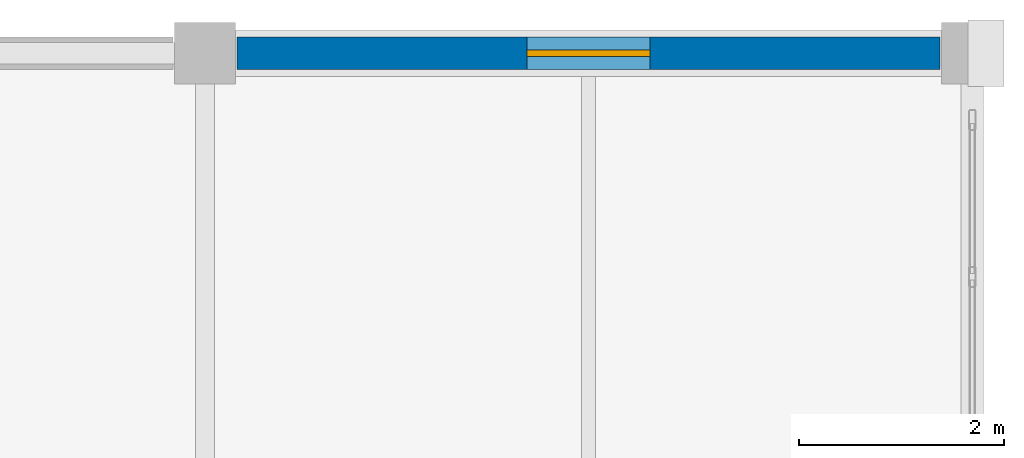
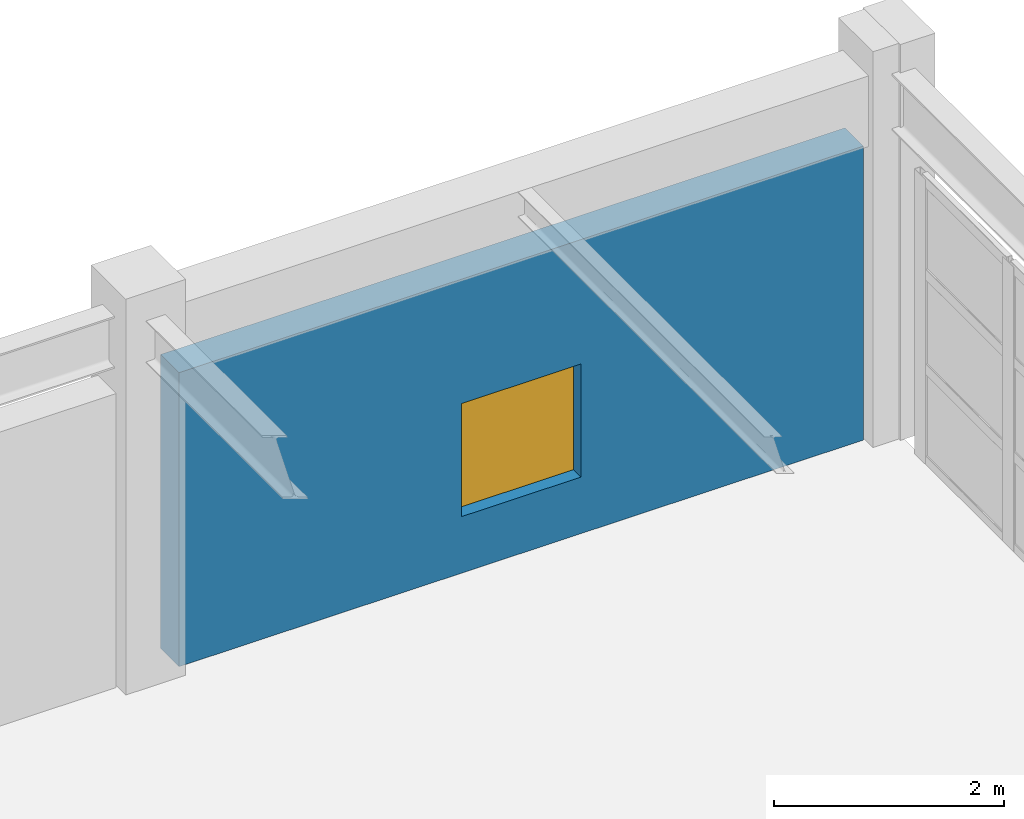
# One storey, part 101 of 124: 1 wall, 1 window, 1 opening.
"""IFC4 building model written with IfcOpenShell, lengths in metres."""

from ifc_helpers import new_model, si_unit, direction, frame, frame_2d, origin, place, context, subcontext, project, spatial, rectangle, extrude, material, layer, layer_set, type_object, element, fill, save


model = new_model("IFC4")

# Units and contexts
model_context = context("Model", 3, precision=1e-05, world=origin(), true_north=direction((0.0, 1.0)))
body_context = subcontext(model_context, "Body", "Model", "MODEL_VIEW")
ifc_project = project(units=[si_unit("LENGTHUNIT", "METRE"), si_unit("AREAUNIT", "SQUARE_METRE"), si_unit("VOLUMEUNIT", "CUBIC_METRE"), si_unit("PLANEANGLEUNIT", "RADIAN"), si_unit("MASSUNIT", "GRAM", prefix="KILO")], contexts=[model_context])

# Site, building, storey
site_placement = place(None, origin())
site = spatial("IfcSite", under=ifc_project, at=site_placement, CompositionType="ELEMENT")
building_placement = place(site_placement, origin())
building = spatial("IfcBuilding", under=site, at=building_placement, Name="Qasida Concert Hall", CompositionType="ELEMENT")
storey_placement = place(building_placement, frame((0.0, 0.0, 9.0)))
storey = spatial("IfcBuildingStorey", under=building, at=storey_placement, Name="L02", CompositionType="ELEMENT", Elevation=9.0)

# Wall, opening, window
ifc_material_1 = material(Name="Precast concrete C40/50", Category="concrete")
ifc_layer = layer(ifc_material_1, 0.320068359375, Name="Precast concrete C40/50")
ifc_layer_set = layer_set([ifc_layer], Name="Precast concrete C40/50")
wall_type = type_object("IfcWallType", Name="WL-EW-320", PredefinedType="SOLIDWALL", material=ifc_layer_set)
wall_placement = place(storey_placement, frame((157.81494140625, 112.5, 0.0), z_axis=(0.0, 0.0, 1.0), x_axis=(1.0, 0.0, 0.0)))
wall = element("IfcWall", 1, at=wall_placement, inside=storey, type_object=wall_type, Name="L02 exterior wall EW-320 0204", PredefinedType="SOLIDWALL", context=body_context, shape_type="SweptSolid", body=[
    extrude(rectangle(XDim=6.8701171875, YDim=0.320068359375, at=frame_2d((3.43505859375, 0.0))), origin(), (0.0, 0.0, 1.0), 3.1201171875),
])
opening_placement = place(wall_placement, frame((2.8349609375, 0.0, 0.60009765625)))
opening = element("IfcOpeningElement", 2, at=opening_placement, cuts=wall, Name="Opening WN-17", PredefinedType="OPENING", context=body_context, shape_type="SweptSolid", body=[
    extrude(rectangle(XDim=1.199951171875, YDim=1.199951171875, at=frame_2d((0.60009765625, 0.60009765625))), frame((0.0, 0.169921875, 0.0), z_axis=(0.0, -1.0, 0.0), x_axis=(1.0, 0.0, 0.0)), (0.0, 0.0, 1.0), 0.340087890625),
])
ifc_material_2 = material(Name="Bronze-anodized aluminium frame with acoustic low-E glazing", Category="aluminium")
window_type = type_object("IfcWindowType", Name="WN-17", PartitioningType="SINGLE_PANEL", PredefinedType="WINDOW", material=ifc_material_2)
window_placement = place(opening_placement, origin())
window = element("IfcWindow", 3, at=window_placement, inside=storey, type_object=window_type, Name="L02 window WN-17 0106", OverallHeight=1.199951171875, OverallWidth=1.199951171875, PartitioningType="SINGLE_PANEL", PredefinedType="WINDOW", context=body_context, shape_type="SweptSolid", body=[
    extrude(rectangle(XDim=1.199951171875, YDim=1.199951171875, at=frame_2d((0.60009765625, 0.60009765625))), frame((0.0, 0.030029296875, 0.0), z_axis=(0.0, -1.0, 0.0), x_axis=(1.0, 0.0, 0.0)), (0.0, 0.0, 1.0), 0.06005859375),
])
fill(opening, window)

save(model, "model.ifc")
